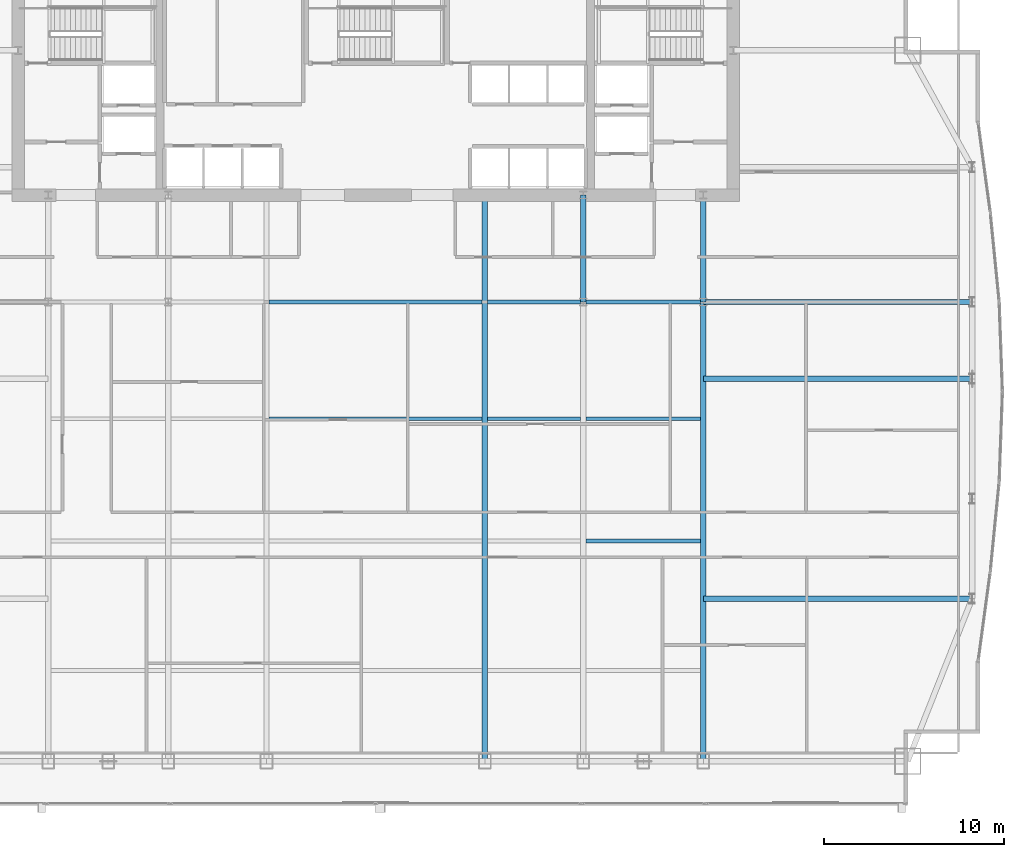
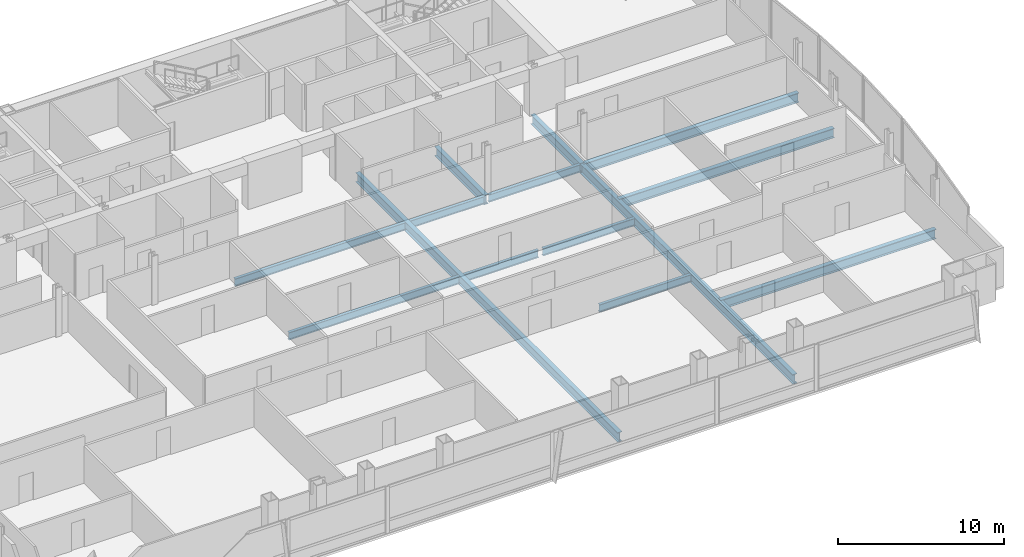
# One storey, part 16 of 32: 14 beams.
"""IFC4 building model written with IfcOpenShell, lengths in metres."""

from ifc_helpers import new_model, si_unit, direction, frame, origin, origin_2d, place, context, subcontext, project, spatial, i_section, extrude, material, material_profile, profile_set, type_object, element, save


model = new_model("IFC4")

# Units and contexts
model_context = context("Model", 3, precision=1e-05, world=origin(), true_north=direction((0.0, 1.0)))
body_context = subcontext(model_context, "Body", "Model", "MODEL_VIEW")
ifc_project = project(units=[si_unit("LENGTHUNIT", "METRE"), si_unit("AREAUNIT", "SQUARE_METRE"), si_unit("VOLUMEUNIT", "CUBIC_METRE"), si_unit("PLANEANGLEUNIT", "RADIAN"), si_unit("MASSUNIT", "GRAM", prefix="KILO")], contexts=[model_context])

# Site, building, storey
site_placement = place(None, origin())
site = spatial("IfcSite", under=ifc_project, at=site_placement, CompositionType="ELEMENT")
building_placement = place(site_placement, origin())
building = spatial("IfcBuilding", under=site, at=building_placement, Name="Khoronbel Lancet Exchange", CompositionType="ELEMENT")
storey_placement = place(building_placement, frame((0.0, 0.0, 125.39990234375)))
storey = spatial("IfcBuildingStorey", under=building, at=storey_placement, Name="L30", CompositionType="ELEMENT", Elevation=125.39990234375)

# Beams
ifc_material = material(Name="Steel S355", Category="steel")
ifc_material_profile_1 = material_profile(ifc_material, i_section(OverallWidth=0.300048828125, OverallDepth=0.699951171875, WebThickness=0.01708984375, FlangeThickness=0.031982421875, at=origin_2d()), Name="HEB 700")
ifc_profile_set_1 = profile_set([ifc_material_profile_1], Name="Steel S355")
beam_type_1 = type_object("IfcBeamType", Name="BM-BG3", PredefinedType="BEAM", material=ifc_profile_set_1)
beam_1_placement = place(storey_placement, frame((42.52490234375, 10.14990234375, -0.510009765625), z_axis=(0.0, 1.0, 0.0), x_axis=(-1.0, 0.0, 0.0)))
element("IfcBeam", 1, at=beam_1_placement, inside=storey, type_object=beam_type_1, Name="Level L30 primary floor girder G4", PredefinedType="BEAM", context=body_context, shape_type="SweptSolid", body=[
    extrude(i_section(OverallWidth=0.300048828125, OverallDepth=0.699951171875, WebThickness=0.01708984375, FlangeThickness=0.031982421875, at=origin_2d()), origin(), (0.0, 0.0, 1.0), 31.5),
])
beam_2_placement = place(storey_placement, frame((48.0, 35.699951171875, -0.510009765625), z_axis=(0.0, 1.0, 0.0), x_axis=(-1.0, 0.0, 0.0)))
element("IfcBeam", 2, at=beam_2_placement, inside=storey, type_object=beam_type_1, Name="Level L30 spine tie girder GN5", PredefinedType="BEAM", context=body_context, shape_type="SweptSolid", body=[
    extrude(i_section(OverallWidth=0.300048828125, OverallDepth=0.699951171875, WebThickness=0.01708984375, FlangeThickness=0.031982421875, at=origin_2d()), origin(), (0.0, 0.0, 1.0), 5.949951171875),
])
beam_3_placement = place(storey_placement, frame((54.675048828125, 10.14990234375, -0.510009765625), z_axis=(0.0, 1.0, 0.0), x_axis=(-1.0, 0.0, 0.0)))
element("IfcBeam", 3, at=beam_3_placement, inside=storey, type_object=beam_type_1, Name="Level L30 south primary girder GS6", PredefinedType="BEAM", context=body_context, shape_type="SweptSolid", body=[
    extrude(i_section(OverallWidth=0.300048828125, OverallDepth=0.699951171875, WebThickness=0.01708984375, FlangeThickness=0.031982421875, at=origin_2d()), origin(), (0.0, 0.0, 1.0), 25.550048828125),
])
beam_4_placement = place(storey_placement, frame((54.675048828125, 35.699951171875, -0.510009765625), z_axis=(0.0, 1.0, 0.0), x_axis=(-1.0, 0.0, 0.0)))
element("IfcBeam", 4, at=beam_4_placement, inside=storey, type_object=beam_type_1, Name="Level L30 spine tie girder GN6", PredefinedType="BEAM", context=body_context, shape_type="SweptSolid", body=[
    extrude(i_section(OverallWidth=0.300048828125, OverallDepth=0.699951171875, WebThickness=0.01708984375, FlangeThickness=0.031982421875, at=origin_2d()), origin(), (0.0, 0.0, 1.0), 5.949951171875),
])
for number, where, z_axis, x_axis, name in (
    (5, (54.675048828125, 19.199951171875, -0.510009765625), (1.0, 0.0, 0.0), (0.0, 1.0, 0.0), "Level L30 east lens tie girder LG1E"),
    (6, (54.675048828125, 31.425048828125, -0.510009765625), (1.0, 0.0, 0.0), (0.0, 1.0, 0.0), "Level L30 east lens tie girder LG2E"),
    (7, (54.675048828125, 35.699951171875, -0.510009765625), (1.0, 0.0, 0.0), (0.0, 1.0, 0.0), "Level L30 east lens tie girder LG4E"),
):
    element("IfcBeam", number, at=place(storey_placement, frame(where, z_axis=z_axis, x_axis=x_axis)), inside=storey, type_object=beam_type_1, Name=name, PredefinedType="BEAM", context=body_context, shape_type="SweptSolid", body=[
        extrude(i_section(OverallWidth=0.300048828125, OverallDepth=0.699951171875, WebThickness=0.01708984375, FlangeThickness=0.031982421875, at=origin_2d()), origin(), (0.0, 0.0, 1.0), 14.954833984375),
    ])
ifc_material_profile_2 = material_profile(ifc_material, i_section(OverallWidth=0.2099609375, OverallDepth=0.550048828125, WebThickness=0.010986328125, FlangeThickness=0.01708984375, at=origin_2d()), Name="IPE 550")
ifc_profile_set_2 = profile_set([ifc_material_profile_2], Name="Steel S355")
beam_type_2 = type_object("IfcBeamType", Name="BM-BJ2", PredefinedType="JOIST", material=ifc_profile_set_2)
beam_5_placement = place(storey_placement, frame((48.14990234375, 22.39990234375, -0.434814453125), z_axis=(1.0, 0.0, 0.0), x_axis=(0.0, 1.0, 0.0)))
element("IfcBeam", 8, at=beam_5_placement, inside=storey, type_object=beam_type_2, Name="Level L30 secondary composite joist J10", PredefinedType="JOIST", context=body_context, shape_type="SweptSolid", body=[
    extrude(i_section(OverallWidth=0.2099609375, OverallDepth=0.550048828125, WebThickness=0.010986328125, FlangeThickness=0.01708984375, at=origin_2d()), origin(), (0.0, 0.0, 1.0), 6.375),
])
beam_6_placement = place(storey_placement, frame((30.52490234375, 29.199951171875, -0.434814453125), z_axis=(1.0, 0.0, 0.0), x_axis=(0.0, 1.0, 0.0)))
element("IfcBeam", 9, at=beam_6_placement, inside=storey, type_object=beam_type_2, Name="Level L30 secondary composite joist J13", PredefinedType="JOIST", context=body_context, shape_type="SweptSolid", body=[
    extrude(i_section(OverallWidth=0.2099609375, OverallDepth=0.550048828125, WebThickness=0.010986328125, FlangeThickness=0.01708984375, at=origin_2d()), origin(), (0.0, 0.0, 1.0), 11.85009765625),
])
beam_7_placement = place(storey_placement, frame((42.675048828125, 29.199951171875, -0.434814453125), z_axis=(1.0, 0.0, 0.0), x_axis=(0.0, 1.0, 0.0)))
element("IfcBeam", 10, at=beam_7_placement, inside=storey, type_object=beam_type_2, Name="Level L30 secondary composite joist J14", PredefinedType="JOIST", context=body_context, shape_type="SweptSolid", body=[
    extrude(i_section(OverallWidth=0.2099609375, OverallDepth=0.550048828125, WebThickness=0.010986328125, FlangeThickness=0.01708984375, at=origin_2d()), origin(), (0.0, 0.0, 1.0), 5.175048828125),
])
beam_8_placement = place(storey_placement, frame((48.14990234375, 29.199951171875, -0.434814453125), z_axis=(1.0, 0.0, 0.0), x_axis=(0.0, 1.0, 0.0)))
element("IfcBeam", 11, at=beam_8_placement, inside=storey, type_object=beam_type_2, Name="Level L30 secondary composite joist J15", PredefinedType="JOIST", context=body_context, shape_type="SweptSolid", body=[
    extrude(i_section(OverallWidth=0.2099609375, OverallDepth=0.550048828125, WebThickness=0.010986328125, FlangeThickness=0.01708984375, at=origin_2d()), origin(), (0.0, 0.0, 1.0), 6.375),
])
beam_9_placement = place(storey_placement, frame((30.52490234375, 35.699951171875, -0.434814453125), z_axis=(1.0, 0.0, 0.0), x_axis=(0.0, 1.0, 0.0)))
element("IfcBeam", 12, at=beam_9_placement, inside=storey, type_object=beam_type_2, Name="Level L30 secondary composite joist J18", PredefinedType="JOIST", context=body_context, shape_type="SweptSolid", body=[
    extrude(i_section(OverallWidth=0.2099609375, OverallDepth=0.550048828125, WebThickness=0.010986328125, FlangeThickness=0.01708984375, at=origin_2d()), origin(), (0.0, 0.0, 1.0), 11.85009765625),
])
beam_10_placement = place(storey_placement, frame((42.675048828125, 35.699951171875, -0.434814453125), z_axis=(1.0, 0.0, 0.0), x_axis=(0.0, 1.0, 0.0)))
element("IfcBeam", 13, at=beam_10_placement, inside=storey, type_object=beam_type_2, Name="Level L30 secondary composite joist J19", PredefinedType="JOIST", context=body_context, shape_type="SweptSolid", body=[
    extrude(i_section(OverallWidth=0.2099609375, OverallDepth=0.550048828125, WebThickness=0.010986328125, FlangeThickness=0.01708984375, at=origin_2d()), origin(), (0.0, 0.0, 1.0), 5.175048828125),
])
beam_11_placement = place(storey_placement, frame((48.14990234375, 35.699951171875, -0.434814453125), z_axis=(1.0, 0.0, 0.0), x_axis=(0.0, 1.0, 0.0)))
element("IfcBeam", 14, at=beam_11_placement, inside=storey, type_object=beam_type_2, Name="Level L30 secondary composite joist J20", PredefinedType="JOIST", context=body_context, shape_type="SweptSolid", body=[
    extrude(i_section(OverallWidth=0.2099609375, OverallDepth=0.550048828125, WebThickness=0.010986328125, FlangeThickness=0.01708984375, at=origin_2d()), origin(), (0.0, 0.0, 1.0), 6.375),
])

save(model, "model.ifc")
